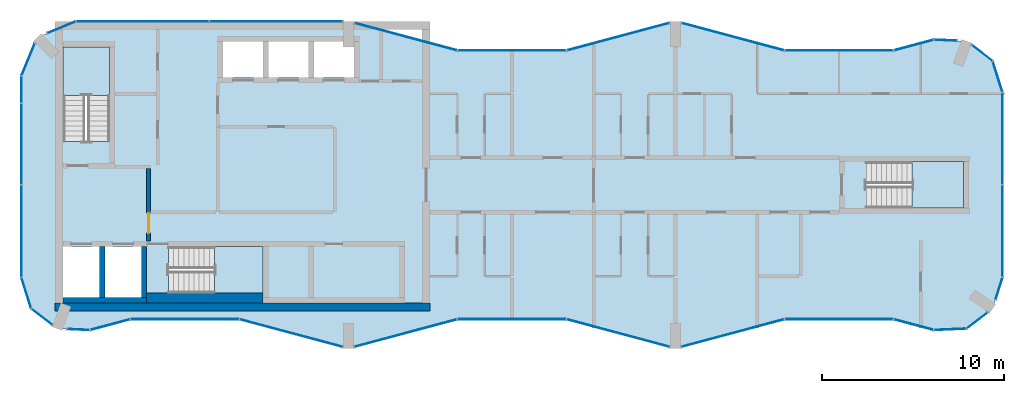
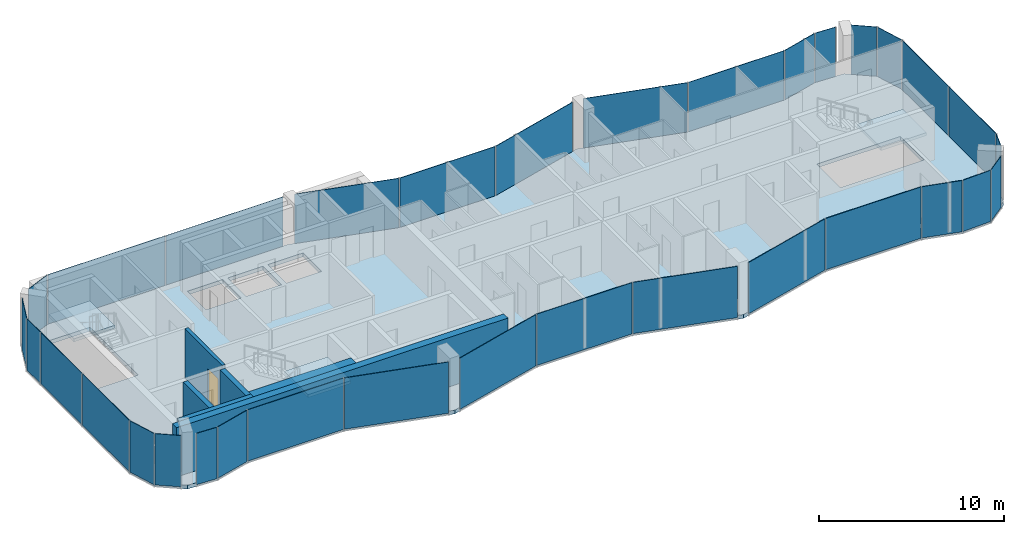
# One storey, part 6 of 10: 33 plates, 6 walls, 4 slabs, 1 door, 1 opening, 32 elements without a shape of their own.
"""IFC4 building model written with IfcOpenShell, lengths in metres."""

from ifc_helpers import new_model, si_unit, direction, frame, frame_2d, origin, origin_2d, place, context, subcontext, project, spatial, polyline, rectangle, outline, extrude, material, layer, layer_set, type_object, element, fill, aggregate, save


model = new_model("IFC4")

# Units and contexts
model_context = context("Model", 3, precision=1e-05, world=origin(), true_north=direction((0.0, 1.0)))
body_context = subcontext(model_context, "Body", "Model", "MODEL_VIEW")
ifc_project = project(units=[si_unit("LENGTHUNIT", "METRE"), si_unit("AREAUNIT", "SQUARE_METRE"), si_unit("VOLUMEUNIT", "CUBIC_METRE"), si_unit("PLANEANGLEUNIT", "RADIAN"), si_unit("MASSUNIT", "GRAM", prefix="KILO")], contexts=[model_context])

# Site, building, storey
site_placement = place(None, origin())
site = spatial("IfcSite", under=ifc_project, at=site_placement, CompositionType="ELEMENT")
building_placement = place(site_placement, origin())
building = spatial("IfcBuilding", under=site, at=building_placement, Name="Plateau Cross Towers", CompositionType="ELEMENT")
storey_placement = place(building_placement, frame((0.0, 0.0, 256.39990234375)))
storey = spatial("IfcBuildingStorey", under=building, at=storey_placement, Name="L67", CompositionType="ELEMENT", Elevation=256.39990234375)

# Curtain wall, plate
ifc_material_1 = material(Name="Dark low-iron glass", Category="glass")
ifc_layer_1 = layer(ifc_material_1, 0.239990234375)
ifc_layer_set_1 = layer_set([ifc_layer_1], Name="Dark low-iron glass")
curtain_wall_type_1 = type_object("IfcCurtainWallType", Name="Curtain wall flush unitised CW-B", PredefinedType="NOTDEFINED", material=ifc_layer_set_1)
curtain_wall_1_placement = place(storey_placement, origin())
curtain_wall_1 = element("IfcCurtainWall", 1, at=curtain_wall_1_placement, inside=storey, type_object=curtain_wall_type_1, Name="ENV/A/L67/A502_10", PredefinedType="NOTDEFINED")
ifc_layer_2 = layer(ifc_material_1, 0.031982421875)
ifc_layer_set_2 = layer_set([ifc_layer_2], Name="Dark low-iron glass")
plate_type_1 = type_object("IfcPlateType", Name="Glass panel 32 flush unitised", PredefinedType="CURTAIN_PANEL", material=ifc_layer_set_2)
plate_1_placement = place(storey_placement, frame((51.125, 1.05078125, -0.1298828125), z_axis=(0.0, 0.0, 1.0), x_axis=(0.999043701491, 0.043722791671, 0.0)))
plate_1 = element("IfcPlate", 2, at=plate_1_placement, type_object=plate_type_1, Name="CW-B panel 1", PredefinedType="CURTAIN_PANEL", context=body_context, shape_type="SweptSolid", body=[
    extrude(rectangle(XDim=1.744140625, YDim=0.031982421875, at=origin_2d()), origin(), (0.0, 0.0, 1.0), 3.3798828125),
])
aggregate(curtain_wall_1, [plate_1])

curtain_wall_2_placement = place(storey_placement, origin())
curtain_wall_2 = element("IfcCurtainWall", 3, at=curtain_wall_2_placement, inside=storey, type_object=curtain_wall_type_1, Name="ENV/A/L67/A520_11", PredefinedType="NOTDEFINED")
plate_2_placement = place(storey_placement, frame((52.60986328125, 1.5380859375, -0.1298828125), z_axis=(0.0, 0.0, 1.0), x_axis=(0.793315514529, 0.608810721331, 0.0)))
plate_2 = element("IfcPlate", 4, at=plate_2_placement, type_object=plate_type_1, Name="CW-B panel 1", PredefinedType="CURTAIN_PANEL", context=body_context, shape_type="SweptSolid", body=[
    extrude(rectangle(XDim=1.41162109375, YDim=0.031982421875, at=origin_2d()), origin(), (0.0, 0.0, 1.0), 3.3798828125),
])
aggregate(curtain_wall_2, [plate_2])

curtain_wall_3_placement = place(storey_placement, origin())
curtain_wall_3 = element("IfcCurtainWall", 5, at=curtain_wall_3_placement, inside=storey, type_object=curtain_wall_type_1, Name="ENV/A/L67/A536_27", PredefinedType="NOTDEFINED")
plate_3_placement = place(storey_placement, frame((53.805419921875, 3.292236328125, -0.1298828125), z_axis=(0.0, 0.0, 1.0), x_axis=(0.300686174994, 0.95372313811, 0.0)))
plate_3 = element("IfcPlate", 6, at=plate_3_placement, type_object=plate_type_1, Name="CW-B panel 1", PredefinedType="CURTAIN_PANEL", context=body_context, shape_type="SweptSolid", body=[
    extrude(rectangle(XDim=1.233642578125, YDim=0.031982421875, at=origin_2d()), origin(), (0.0, 0.0, 1.0), 3.3798828125),
])
aggregate(curtain_wall_3, [plate_3])

# Curtain wall, plates
curtain_wall_4_placement = place(storey_placement, origin())
curtain_wall_4 = element("IfcCurtainWall", 7, at=curtain_wall_4_placement, inside=storey, type_object=curtain_wall_type_1, Name="ENV/A/L67/A540_39", PredefinedType="NOTDEFINED")
plate_4_placement = place(storey_placement, frame((54.0, 6.45458984375, -0.1298828125), z_axis=(0.0, 0.0, 1.0), x_axis=(0.0, 1.0, 0.0)))
plate_4 = element("IfcPlate", 8, at=plate_4_placement, type_object=plate_type_1, Name="CW-B panel 1", PredefinedType="CURTAIN_PANEL", context=body_context, shape_type="SweptSolid", body=[
    extrude(rectangle(XDim=5.03076171875, YDim=0.031982421875, at=origin_2d()), origin(), (0.0, 0.0, 1.0), 3.3798828125),
])
plate_5_placement = place(storey_placement, frame((54.0, 11.54541015625, -0.1298828125), z_axis=(0.0, 0.0, 1.0), x_axis=(0.0, 1.0, 0.0)))
plate_5 = element("IfcPlate", 9, at=plate_5_placement, type_object=plate_type_1, Name="CW-B panel 2", PredefinedType="CURTAIN_PANEL", context=body_context, shape_type="SweptSolid", body=[
    extrude(rectangle(XDim=5.03076171875, YDim=0.031982421875, at=origin_2d()), origin(), (0.0, 0.0, 1.0), 3.3798828125),
])
aggregate(curtain_wall_4, [plate_4, plate_5])

# Curtain wall, plate
curtain_wall_5_placement = place(storey_placement, origin())
curtain_wall_5 = element("IfcCurtainWall", 10, at=curtain_wall_5_placement, inside=storey, type_object=curtain_wall_type_1, Name="ENV/A/L67/A540_141", PredefinedType="NOTDEFINED")
plate_6_placement = place(storey_placement, frame((53.728759765625, 14.951171875, -0.1298828125), z_axis=(0.0, 0.0, 1.0), x_axis=(-0.300686174994, 0.95372313811, 0.0)))
plate_6 = element("IfcPlate", 11, at=plate_6_placement, type_object=plate_type_1, Name="CW-B panel 1", PredefinedType="CURTAIN_PANEL", context=body_context, shape_type="SweptSolid", body=[
    extrude(rectangle(XDim=1.744140625, YDim=0.031982421875, at=origin_2d()), origin(), (0.0, 0.0, 1.0), 3.3798828125),
])
aggregate(curtain_wall_5, [plate_6])

curtain_wall_6_placement = place(storey_placement, origin())
curtain_wall_6 = element("IfcCurtainWall", 12, at=curtain_wall_6_placement, inside=storey, type_object=curtain_wall_type_1, Name="ENV/A/L67/A535_158", PredefinedType="NOTDEFINED")
plate_7_placement = place(storey_placement, frame((52.873779296875, 16.25927734375, -0.1298828125), z_axis=(0.0, 0.0, 1.0), x_axis=(-0.793315514529, 0.608810721331, 0.0)))
plate_7 = element("IfcPlate", 13, at=plate_7_placement, type_object=plate_type_1, Name="CW-B panel 1", PredefinedType="CURTAIN_PANEL", context=body_context, shape_type="SweptSolid", body=[
    extrude(rectangle(XDim=1.41162109375, YDim=0.031982421875, at=origin_2d()), origin(), (0.0, 0.0, 1.0), 3.3798828125),
])
aggregate(curtain_wall_6, [plate_7])

curtain_wall_7_placement = place(storey_placement, origin())
curtain_wall_7 = element("IfcCurtainWall", 14, at=curtain_wall_7_placement, inside=storey, type_object=curtain_wall_type_1, Name="ENV/A/L67/A515_169", PredefinedType="NOTDEFINED")
plate_8_placement = place(storey_placement, frame((50.8701171875, 16.96044921875, -0.1298828125), z_axis=(0.0, 0.0, 1.0), x_axis=(-0.999043701491, 0.043722791671, 0.0)))
plate_8 = element("IfcPlate", 15, at=plate_8_placement, type_object=plate_type_1, Name="CW-B panel 1", PredefinedType="CURTAIN_PANEL", context=body_context, shape_type="SweptSolid", body=[
    extrude(rectangle(XDim=1.233642578125, YDim=0.031982421875, at=origin_2d()), origin(), (0.0, 0.0, 1.0), 3.3798828125),
])
aggregate(curtain_wall_7, [plate_8])

# Curtain wall, plates
curtain_wall_8_placement = place(storey_placement, origin())
curtain_wall_8 = element("IfcCurtainWall", 16, at=curtain_wall_8_placement, inside=storey, type_object=curtain_wall_type_1, Name="ENV/A/L67/A177_180", PredefinedType="NOTDEFINED")
plate_9_placement = place(storey_placement, frame((14.02490234375, 18.0, -0.1298828125), z_axis=(0.0, 0.0, 1.0), x_axis=(-1.0, 0.0, 0.0)))
plate_9 = element("IfcPlate", 17, at=plate_9_placement, type_object=plate_type_1, Name="CW-B panel 1", PredefinedType="CURTAIN_PANEL", context=body_context, shape_type="SweptSolid", body=[
    extrude(rectangle(XDim=7.2900390625, YDim=0.031982421875, at=origin_2d()), origin(), (0.0, 0.0, 1.0), 3.3798828125),
])
plate_10_placement = place(storey_placement, frame((6.675048828125, 18.0, -0.1298828125), z_axis=(0.0, 0.0, 1.0), x_axis=(-1.0, 0.0, 0.0)))
plate_10 = element("IfcPlate", 18, at=plate_10_placement, type_object=plate_type_1, Name="CW-B panel 2", PredefinedType="CURTAIN_PANEL", context=body_context, shape_type="SweptSolid", body=[
    extrude(rectangle(XDim=7.2900390625, YDim=0.031982421875, at=origin_2d()), origin(), (0.0, 0.0, 1.0), 3.3798828125),
])
aggregate(curtain_wall_8, [plate_9, plate_10])

# Curtain wall, plate
curtain_wall_9_placement = place(storey_placement, origin())
curtain_wall_9 = element("IfcCurtainWall", 19, at=curtain_wall_9_placement, inside=storey, type_object=curtain_wall_type_1, Name="ENV/A/L67/A30_180", PredefinedType="NOTDEFINED")
plate_11_placement = place(storey_placement, frame((2.20166015625, 17.66943359375, -0.1298828125), z_axis=(0.0, 0.0, 1.0), x_axis=(-0.923879457699, -0.382683612978, 0.0)))
plate_11 = element("IfcPlate", 20, at=plate_11_placement, type_object=plate_type_1, Name="CW-B panel 1", PredefinedType="CURTAIN_PANEL", context=body_context, shape_type="SweptSolid", body=[
    extrude(rectangle(XDim=1.668212890625, YDim=0.031982421875, at=origin_2d()), origin(), (0.0, 0.0, 1.0), 3.3798828125),
])
aggregate(curtain_wall_9, [plate_11])

curtain_wall_10_placement = place(storey_placement, origin())
curtain_wall_10 = element("IfcCurtainWall", 21, at=curtain_wall_10_placement, inside=storey, type_object=curtain_wall_type_1, Name="ENV/A/L67/A7_168", PredefinedType="NOTDEFINED")
plate_12_placement = place(storey_placement, frame((0.3740234375, 15.90283203125, -0.1298828125), z_axis=(0.0, 0.0, 1.0), x_axis=(-0.382683612978, -0.923879457699, 0.0)))
plate_12 = element("IfcPlate", 22, at=plate_12_placement, type_object=plate_type_1, Name="CW-B panel 1", PredefinedType="CURTAIN_PANEL", context=body_context, shape_type="SweptSolid", body=[
    extrude(rectangle(XDim=1.894775390625, YDim=0.031982421875, at=origin_2d()), origin(), (0.0, 0.0, 1.0), 3.3798828125),
])
aggregate(curtain_wall_10, [plate_12])

# Curtain wall, plates
curtain_wall_11_placement = place(storey_placement, origin())
curtain_wall_11 = element("IfcCurtainWall", 23, at=curtain_wall_11_placement, inside=storey, type_object=curtain_wall_type_1, Name="ENV/A/L67/A0_150", PredefinedType="NOTDEFINED")
plate_13_placement = place(storey_placement, frame((0.0, 14.25, -0.1298828125), z_axis=(0.0, 0.0, 1.0), x_axis=(0.0, -1.0, 0.0)))
plate_13 = element("IfcPlate", 24, at=plate_13_placement, type_object=plate_type_1, Name="CW-B panel 1", PredefinedType="CURTAIN_PANEL", context=body_context, shape_type="SweptSolid", body=[
    extrude(rectangle(XDim=1.43994140625, YDim=0.031982421875, at=origin_2d()), origin(), (0.0, 0.0, 1.0), 3.3798828125),
])
plate_14_placement = place(storey_placement, frame((0.0, 11.25, -0.1298828125), z_axis=(0.0, 0.0, 1.0), x_axis=(0.0, -1.0, 0.0)))
plate_14 = element("IfcPlate", 25, at=plate_14_placement, type_object=plate_type_1, Name="CW-B panel 2", PredefinedType="CURTAIN_PANEL", context=body_context, shape_type="SweptSolid", body=[
    extrude(rectangle(XDim=4.43994140625, YDim=0.031982421875, at=origin_2d()), origin(), (0.0, 0.0, 1.0), 3.3798828125),
])
plate_15_placement = place(storey_placement, frame((0.0, 6.45458984375, -0.1298828125), z_axis=(0.0, 0.0, 1.0), x_axis=(0.0, -1.0, 0.0)))
plate_15 = element("IfcPlate", 26, at=plate_15_placement, type_object=plate_type_1, Name="CW-B panel 3", PredefinedType="CURTAIN_PANEL", context=body_context, shape_type="SweptSolid", body=[
    extrude(rectangle(XDim=5.03076171875, YDim=0.031982421875, at=origin_2d()), origin(), (0.0, 0.0, 1.0), 3.3798828125),
])
aggregate(curtain_wall_11, [plate_13, plate_14, plate_15])

# Curtain wall, plate
curtain_wall_12_placement = place(storey_placement, origin())
curtain_wall_12 = element("IfcCurtainWall", 27, at=curtain_wall_12_placement, inside=storey, type_object=curtain_wall_type_1, Name="ENV/A/L67/A0_39", PredefinedType="NOTDEFINED")
plate_16_placement = place(storey_placement, frame((0.271240234375, 3.048828125, -0.1298828125), z_axis=(0.0, 0.0, 1.0), x_axis=(0.300686174994, -0.95372313811, 0.0)))
plate_16 = element("IfcPlate", 28, at=plate_16_placement, type_object=plate_type_1, Name="CW-B panel 1", PredefinedType="CURTAIN_PANEL", context=body_context, shape_type="SweptSolid", body=[
    extrude(rectangle(XDim=1.744140625, YDim=0.031982421875, at=origin_2d()), origin(), (0.0, 0.0, 1.0), 3.3798828125),
])
aggregate(curtain_wall_12, [plate_16])

curtain_wall_13_placement = place(storey_placement, origin())
curtain_wall_13 = element("IfcCurtainWall", 29, at=curtain_wall_13_placement, inside=storey, type_object=curtain_wall_type_1, Name="ENV/A/L67/A5_22", PredefinedType="NOTDEFINED")
plate_17_placement = place(storey_placement, frame((1.126220703125, 1.74072265625, -0.1298828125), z_axis=(0.0, 0.0, 1.0), x_axis=(0.793315514529, -0.608810721331, 0.0)))
plate_17 = element("IfcPlate", 30, at=plate_17_placement, type_object=plate_type_1, Name="CW-B panel 1", PredefinedType="CURTAIN_PANEL", context=body_context, shape_type="SweptSolid", body=[
    extrude(rectangle(XDim=1.41162109375, YDim=0.031982421875, at=origin_2d()), origin(), (0.0, 0.0, 1.0), 3.3798828125),
])
aggregate(curtain_wall_13, [plate_17])

curtain_wall_14_placement = place(storey_placement, origin())
curtain_wall_14 = element("IfcCurtainWall", 31, at=curtain_wall_14_placement, inside=storey, type_object=curtain_wall_type_1, Name="ENV/A/L67/A25_11", PredefinedType="NOTDEFINED")
plate_18_placement = place(storey_placement, frame((3.1298828125, 1.03955078125, -0.1298828125), z_axis=(0.0, 0.0, 1.0), x_axis=(0.999043701491, -0.043722791671, 0.0)))
plate_18 = element("IfcPlate", 32, at=plate_18_placement, type_object=plate_type_1, Name="CW-B panel 1", PredefinedType="CURTAIN_PANEL", context=body_context, shape_type="SweptSolid", body=[
    extrude(rectangle(XDim=1.233642578125, YDim=0.031982421875, at=origin_2d()), origin(), (0.0, 0.0, 1.0), 3.3798828125),
])
aggregate(curtain_wall_14, [plate_18])

ifc_layer_3 = layer(ifc_material_1, 0.260009765625)
ifc_layer_set_3 = layer_set([ifc_layer_3], Name="Dark low-iron glass")
curtain_wall_type_2 = type_object("IfcCurtainWallType", Name="Curtain wall fluted unitised CW-A", PredefinedType="NOTDEFINED", material=ifc_layer_set_3)
curtain_wall_15_placement = place(storey_placement, origin())
curtain_wall_15 = element("IfcCurtainWall", 33, at=curtain_wall_15_placement, inside=storey, type_object=curtain_wall_type_2, Name="ENV/A/L67/A38_10", PredefinedType="NOTDEFINED")
ifc_layer_4 = layer(ifc_material_1, 0.035888671875)
ifc_layer_set_4 = layer_set([ifc_layer_4], Name="Dark low-iron glass")
plate_type_2 = type_object("IfcPlateType", Name="Glass panel 36 fluted unitised", PredefinedType="CURTAIN_PANEL", material=ifc_layer_set_4)
plate_19_placement = place(storey_placement, frame((4.887939453125, 1.30908203125, -0.1298828125), z_axis=(0.0, 0.0, 1.0), x_axis=(0.965957962328, 0.258699081978, 0.0)))
plate_19 = element("IfcPlate", 34, at=plate_19_placement, type_object=plate_type_2, Name="CW-A panel 1", PredefinedType="CURTAIN_PANEL", context=body_context, shape_type="SweptSolid", body=[
    extrude(rectangle(XDim=2.2421875, YDim=0.035888671875, at=origin_2d()), origin(), (0.0, 0.0, 1.0), 3.3798828125),
])
aggregate(curtain_wall_15, [plate_19])

curtain_wall_16_placement = place(storey_placement, origin())
curtain_wall_16 = element("IfcCurtainWall", 35, at=curtain_wall_16_placement, inside=storey, type_object=curtain_wall_type_2, Name="ENV/A/L67/A60_16", PredefinedType="NOTDEFINED")
plate_20_placement = place(storey_placement, frame((9.0, 1.60693359375, -0.1298828125), z_axis=(0.0, 0.0, 1.0), x_axis=(1.0, 0.0, 0.0)))
plate_20 = element("IfcPlate", 36, at=plate_20_placement, type_object=plate_type_2, Name="CW-A panel 1", PredefinedType="CURTAIN_PANEL", context=body_context, shape_type="SweptSolid", body=[
    extrude(rectangle(XDim=5.93994140625, YDim=0.035888671875, at=origin_2d()), origin(), (0.0, 0.0, 1.0), 3.3798828125),
])
aggregate(curtain_wall_16, [plate_20])

curtain_wall_17_placement = place(storey_placement, origin())
curtain_wall_17 = element("IfcCurtainWall", 37, at=curtain_wall_17_placement, inside=storey, type_object=curtain_wall_type_2, Name="ENV/A/L67/A120_16", PredefinedType="NOTDEFINED")
plate_21_placement = place(storey_placement, frame((14.841064453125, 0.845947265625, -0.1298828125), z_axis=(0.0, 0.0, 1.0), x_axis=(0.965957983404, -0.258699003279, 0.0)))
plate_21 = element("IfcPlate", 38, at=plate_21_placement, type_object=plate_type_2, Name="CW-A panel 1", PredefinedType="CURTAIN_PANEL", context=body_context, shape_type="SweptSolid", body=[
    extrude(rectangle(XDim=5.822265625, YDim=0.035888671875, at=origin_2d()), origin(), (0.0, 0.0, 1.0), 3.3798828125),
])
aggregate(curtain_wall_17, [plate_21])

curtain_wall_18_placement = place(storey_placement, origin())
curtain_wall_18 = element("IfcCurtainWall", 39, at=curtain_wall_18_placement, inside=storey, type_object=curtain_wall_type_2, Name="ENV/A/L67/A183_1", PredefinedType="NOTDEFINED")
plate_22_placement = place(storey_placement, frame((21.158935546875, 0.845947265625, -0.1298828125), z_axis=(0.0, 0.0, 1.0), x_axis=(0.965957983404, 0.258699003279, 0.0)))
plate_22 = element("IfcPlate", 40, at=plate_22_placement, type_object=plate_type_2, Name="CW-A panel 1", PredefinedType="CURTAIN_PANEL", context=body_context, shape_type="SweptSolid", body=[
    extrude(rectangle(XDim=5.822265625, YDim=0.035888671875, at=origin_2d()), origin(), (0.0, 0.0, 1.0), 3.3798828125),
])
aggregate(curtain_wall_18, [plate_22])

curtain_wall_19_placement = place(storey_placement, origin())
curtain_wall_19 = element("IfcCurtainWall", 41, at=curtain_wall_19_placement, inside=storey, type_object=curtain_wall_type_2, Name="ENV/A/L67/A240_16", PredefinedType="NOTDEFINED")
plate_23_placement = place(storey_placement, frame((27.0, 1.60693359375, -0.1298828125), z_axis=(0.0, 0.0, 1.0), x_axis=(1.0, 0.0, 0.0)))
plate_23 = element("IfcPlate", 42, at=plate_23_placement, type_object=plate_type_2, Name="CW-A panel 1", PredefinedType="CURTAIN_PANEL", context=body_context, shape_type="SweptSolid", body=[
    extrude(rectangle(XDim=5.93994140625, YDim=0.035888671875, at=origin_2d()), origin(), (0.0, 0.0, 1.0), 3.3798828125),
])
aggregate(curtain_wall_19, [plate_23])

curtain_wall_20_placement = place(storey_placement, origin())
curtain_wall_20 = element("IfcCurtainWall", 43, at=curtain_wall_20_placement, inside=storey, type_object=curtain_wall_type_2, Name="ENV/A/L67/A300_16", PredefinedType="NOTDEFINED")
plate_24_placement = place(storey_placement, frame((32.841064453125, 0.845947265625, -0.1298828125), z_axis=(0.0, 0.0, 1.0), x_axis=(0.965957983404, -0.258699003279, 0.0)))
plate_24 = element("IfcPlate", 44, at=plate_24_placement, type_object=plate_type_2, Name="CW-A panel 1", PredefinedType="CURTAIN_PANEL", context=body_context, shape_type="SweptSolid", body=[
    extrude(rectangle(XDim=5.822265625, YDim=0.035888671875, at=origin_2d()), origin(), (0.0, 0.0, 1.0), 3.3798828125),
])
aggregate(curtain_wall_20, [plate_24])

curtain_wall_21_placement = place(storey_placement, origin())
curtain_wall_21 = element("IfcCurtainWall", 45, at=curtain_wall_21_placement, inside=storey, type_object=curtain_wall_type_2, Name="ENV/A/L67/A363_1", PredefinedType="NOTDEFINED")
plate_25_placement = place(storey_placement, frame((39.158935546875, 0.845947265625, -0.1298828125), z_axis=(0.0, 0.0, 1.0), x_axis=(0.965957983404, 0.258699003279, 0.0)))
plate_25 = element("IfcPlate", 46, at=plate_25_placement, type_object=plate_type_2, Name="CW-A panel 1", PredefinedType="CURTAIN_PANEL", context=body_context, shape_type="SweptSolid", body=[
    extrude(rectangle(XDim=5.822265625, YDim=0.035888671875, at=origin_2d()), origin(), (0.0, 0.0, 1.0), 3.3798828125),
])
aggregate(curtain_wall_21, [plate_25])

curtain_wall_22_placement = place(storey_placement, origin())
curtain_wall_22 = element("IfcCurtainWall", 47, at=curtain_wall_22_placement, inside=storey, type_object=curtain_wall_type_2, Name="ENV/A/L67/A420_16", PredefinedType="NOTDEFINED")
plate_26_placement = place(storey_placement, frame((45.0, 1.60693359375, -0.1298828125), z_axis=(0.0, 0.0, 1.0), x_axis=(1.0, 0.0, 0.0)))
plate_26 = element("IfcPlate", 48, at=plate_26_placement, type_object=plate_type_2, Name="CW-A panel 1", PredefinedType="CURTAIN_PANEL", context=body_context, shape_type="SweptSolid", body=[
    extrude(rectangle(XDim=5.93994140625, YDim=0.035888671875, at=origin_2d()), origin(), (0.0, 0.0, 1.0), 3.3798828125),
])
aggregate(curtain_wall_22, [plate_26])

curtain_wall_23_placement = place(storey_placement, origin())
curtain_wall_23 = element("IfcCurtainWall", 49, at=curtain_wall_23_placement, inside=storey, type_object=curtain_wall_type_2, Name="ENV/A/L67/A480_16", PredefinedType="NOTDEFINED")
plate_27_placement = place(storey_placement, frame((49.112060546875, 1.30908203125, -0.1298828125), z_axis=(0.0, 0.0, 1.0), x_axis=(0.965957962328, -0.258699081978, 0.0)))
plate_27 = element("IfcPlate", 50, at=plate_27_placement, type_object=plate_type_2, Name="CW-A panel 1", PredefinedType="CURTAIN_PANEL", context=body_context, shape_type="SweptSolid", body=[
    extrude(rectangle(XDim=2.2421875, YDim=0.035888671875, at=origin_2d()), origin(), (0.0, 0.0, 1.0), 3.3798828125),
])
aggregate(curtain_wall_23, [plate_27])

curtain_wall_24_placement = place(storey_placement, origin())
curtain_wall_24 = element("IfcCurtainWall", 51, at=curtain_wall_24_placement, inside=storey, type_object=curtain_wall_type_2, Name="ENV/A/L67/A502_170", PredefinedType="NOTDEFINED")
plate_28_placement = place(storey_placement, frame((49.112060546875, 16.69091796875, -0.1298828125), z_axis=(0.0, 0.0, 1.0), x_axis=(-0.965957962328, -0.258699081978, 0.0)))
plate_28 = element("IfcPlate", 52, at=plate_28_placement, type_object=plate_type_2, Name="CW-A panel 1", PredefinedType="CURTAIN_PANEL", context=body_context, shape_type="SweptSolid", body=[
    extrude(rectangle(XDim=2.2421875, YDim=0.035888671875, at=origin_2d()), origin(), (0.0, 0.0, 1.0), 3.3798828125),
])
aggregate(curtain_wall_24, [plate_28])

curtain_wall_25_placement = place(storey_placement, origin())
curtain_wall_25 = element("IfcCurtainWall", 53, at=curtain_wall_25_placement, inside=storey, type_object=curtain_wall_type_2, Name="ENV/A/L67/A480_164", PredefinedType="NOTDEFINED")
plate_29_placement = place(storey_placement, frame((45.0, 16.39306640625, -0.1298828125), z_axis=(0.0, 0.0, 1.0), x_axis=(-1.0, 0.0, 0.0)))
plate_29 = element("IfcPlate", 54, at=plate_29_placement, type_object=plate_type_2, Name="CW-A panel 1", PredefinedType="CURTAIN_PANEL", context=body_context, shape_type="SweptSolid", body=[
    extrude(rectangle(XDim=5.93994140625, YDim=0.035888671875, at=origin_2d()), origin(), (0.0, 0.0, 1.0), 3.3798828125),
])
aggregate(curtain_wall_25, [plate_29])

curtain_wall_26_placement = place(storey_placement, origin())
curtain_wall_26 = element("IfcCurtainWall", 55, at=curtain_wall_26_placement, inside=storey, type_object=curtain_wall_type_2, Name="ENV/A/L67/A420_164", PredefinedType="NOTDEFINED")
plate_30_placement = place(storey_placement, frame((39.158935546875, 17.154052734375, -0.1298828125), z_axis=(0.0, 0.0, 1.0), x_axis=(-0.965957983404, 0.258699003279, 0.0)))
plate_30 = element("IfcPlate", 56, at=plate_30_placement, type_object=plate_type_2, Name="CW-A panel 1", PredefinedType="CURTAIN_PANEL", context=body_context, shape_type="SweptSolid", body=[
    extrude(rectangle(XDim=5.822265625, YDim=0.035888671875, at=origin_2d()), origin(), (0.0, 0.0, 1.0), 3.3798828125),
])
aggregate(curtain_wall_26, [plate_30])

curtain_wall_27_placement = place(storey_placement, origin())
curtain_wall_27 = element("IfcCurtainWall", 57, at=curtain_wall_27_placement, inside=storey, type_object=curtain_wall_type_2, Name="ENV/A/L67/A357_179", PredefinedType="NOTDEFINED")
plate_31_placement = place(storey_placement, frame((32.841064453125, 17.154052734375, -0.1298828125), z_axis=(0.0, 0.0, 1.0), x_axis=(-0.965957983404, -0.258699003279, 0.0)))
plate_31 = element("IfcPlate", 58, at=plate_31_placement, type_object=plate_type_2, Name="CW-A panel 1", PredefinedType="CURTAIN_PANEL", context=body_context, shape_type="SweptSolid", body=[
    extrude(rectangle(XDim=5.822265625, YDim=0.035888671875, at=origin_2d()), origin(), (0.0, 0.0, 1.0), 3.3798828125),
])
aggregate(curtain_wall_27, [plate_31])

curtain_wall_28_placement = place(storey_placement, origin())
curtain_wall_28 = element("IfcCurtainWall", 59, at=curtain_wall_28_placement, inside=storey, type_object=curtain_wall_type_2, Name="ENV/A/L67/A300_164", PredefinedType="NOTDEFINED")
plate_32_placement = place(storey_placement, frame((27.0, 16.39306640625, -0.1298828125), z_axis=(0.0, 0.0, 1.0), x_axis=(-1.0, 0.0, 0.0)))
plate_32 = element("IfcPlate", 60, at=plate_32_placement, type_object=plate_type_2, Name="CW-A panel 1", PredefinedType="CURTAIN_PANEL", context=body_context, shape_type="SweptSolid", body=[
    extrude(rectangle(XDim=5.93994140625, YDim=0.035888671875, at=origin_2d()), origin(), (0.0, 0.0, 1.0), 3.3798828125),
])
aggregate(curtain_wall_28, [plate_32])

curtain_wall_29_placement = place(storey_placement, origin())
curtain_wall_29 = element("IfcCurtainWall", 61, at=curtain_wall_29_placement, inside=storey, type_object=curtain_wall_type_2, Name="ENV/A/L67/A240_164", PredefinedType="NOTDEFINED")
plate_33_placement = place(storey_placement, frame((21.158935546875, 17.154052734375, -0.1298828125), z_axis=(0.0, 0.0, 1.0), x_axis=(-0.965957983404, 0.258699003279, 0.0)))
plate_33 = element("IfcPlate", 62, at=plate_33_placement, type_object=plate_type_2, Name="CW-A panel 1", PredefinedType="CURTAIN_PANEL", context=body_context, shape_type="SweptSolid", body=[
    extrude(rectangle(XDim=5.822265625, YDim=0.035888671875, at=origin_2d()), origin(), (0.0, 0.0, 1.0), 3.3798828125),
])
aggregate(curtain_wall_29, [plate_33])

# Slab
ifc_material_2 = material(Name="Concrete C40/50", Category="concrete")
ifc_layer_5 = layer(ifc_material_2, 0.25)
ifc_layer_set_5 = layer_set([ifc_layer_5], Name="Concrete C40/50")
slab_type_1 = type_object("IfcSlabType", Name="Post-tensioned flat plate slab 250", PredefinedType="FLOOR", material=ifc_layer_set_5)
slab_1_placement = place(storey_placement, frame((0.0, 0.0, -0.25)))
element("IfcSlab", 63, at=slab_1_placement, inside=storey, type_object=slab_type_1, Name="SL-A-L67", PredefinedType="FLOOR", context=body_context, shape_type="SweptSolid", body=[
    extrude(outline(polyline([(1.9736328125, 1.090087890625), (0.54248046875, 2.1884765625), (0.0, 3.9091796875), (0.0, 15.0), (0.878662109375, 17.121337890625), (3.0, 18.0), (18.0, 18.0), (24.0, 16.39306640625), (30.0, 16.39306640625), (36.0, 18.0), (42.0, 16.39306640625), (48.0, 16.39306640625), (50.223876953125, 16.98876953125), (52.0263671875, 16.909912109375), (53.45751953125, 15.8115234375), (54.0, 14.0908203125), (54.0, 3.9091796875), (53.45751953125, 2.1884765625), (52.0263671875, 1.090087890625), (50.223876953125, 1.01123046875), (48.0, 1.60693359375), (42.0, 1.60693359375), (36.0, 0.0), (30.0, 1.60693359375), (24.0, 1.60693359375), (18.0, 0.0), (12.0, 1.60693359375), (6.0, 1.60693359375), (3.776123046875, 1.01123046875), (1.9736328125, 1.090087890625)]), holes=[polyline([(4.300048828125, 5.60009765625), (2.300048828125, 5.60009765625), (2.300048828125, 2.800048828125), (4.300048828125, 2.800048828125), (4.300048828125, 5.60009765625)]), polyline([(6.60009765625, 5.60009765625), (4.60009765625, 5.60009765625), (4.60009765625, 2.800048828125), (6.60009765625, 2.800048828125), (6.60009765625, 5.60009765625)]), polyline([(13.300048828125, 5.60009765625), (8.10009765625, 5.60009765625), (8.10009765625, 3.050048828125), (13.300048828125, 3.050048828125), (13.300048828125, 5.60009765625)]), polyline([(51.699951171875, 10.27490234375), (46.5, 10.27490234375), (46.5, 7.72509765625), (51.699951171875, 7.72509765625), (51.699951171875, 10.27490234375)]), polyline([(2.300048828125, 16.60009765625), (2.300048828125, 11.39990234375), (4.85009765625, 11.39990234375), (4.85009765625, 16.60009765625), (2.300048828125, 16.60009765625)]), polyline([(13.300048828125, 16.89990234375), (11.10009765625, 16.89990234375), (11.10009765625, 14.89990234375), (13.300048828125, 14.89990234375), (13.300048828125, 16.89990234375)]), polyline([(15.800048828125, 16.89990234375), (13.60009765625, 16.89990234375), (13.60009765625, 14.89990234375), (15.800048828125, 14.89990234375), (15.800048828125, 16.89990234375)]), polyline([(18.300048828125, 16.89990234375), (16.10009765625, 16.89990234375), (16.10009765625, 14.89990234375), (18.300048828125, 14.89990234375), (18.300048828125, 16.89990234375)])]), origin(), (0.0, 0.0, 1.0), 0.25),
])

# Stair, slab
stair_type = type_object("IfcStairType", Name="ST-TWR", PredefinedType="HALF_TURN_STAIR", material=ifc_material_2)
stair_1_placement = place(storey_placement, origin())
stair_1 = element("IfcStair", 64, at=stair_1_placement, inside=storey, type_object=stair_type, Name="L67 Protected Exit Stair ST-1", PredefinedType="HALF_TURN_STAIR")
ifc_layer_6 = layer(ifc_material_2, 0.199951171875)
ifc_layer_set_6 = layer_set([ifc_layer_6], Name="Concrete C40/50")
slab_type_2 = type_object("IfcSlabType", Name="SL-LANDING", PredefinedType="LANDING", material=ifc_layer_set_6)
slab_2_placement = place(storey_placement, frame((0.0, 0.0, 1.550048828125)))
slab_2 = element("IfcSlab", 65, at=slab_2_placement, type_object=slab_type_2, Name="ST-1 landing 1", PredefinedType="LANDING", context=body_context, shape_type="SweptSolid", body=[
    extrude(outline(polyline([(4.85009765625, 13.919921875), (4.85009765625, 16.60009765625), (2.300048828125, 16.60009765625), (2.300048828125, 13.919921875), (4.85009765625, 13.919921875)])), origin(), (0.0, 0.0, 1.0), 0.199951171875),
])
aggregate(stair_1, [slab_2])

stair_2_placement = place(storey_placement, origin())
stair_2 = element("IfcStair", 66, at=stair_2_placement, inside=storey, type_object=stair_type, Name="L67 Protected Exit Stair ST-2", PredefinedType="HALF_TURN_STAIR")
slab_3_placement = place(storey_placement, frame((0.0, 0.0, 1.550048828125)))
slab_3 = element("IfcSlab", 67, at=slab_3_placement, type_object=slab_type_2, Name="ST-2 landing 1", PredefinedType="LANDING", context=body_context, shape_type="SweptSolid", body=[
    extrude(outline(polyline([(10.6201171875, 3.050048828125), (13.300048828125, 3.050048828125), (13.300048828125, 5.60009765625), (10.6201171875, 5.60009765625), (10.6201171875, 3.050048828125)])), origin(), (0.0, 0.0, 1.0), 0.199951171875),
])
aggregate(stair_2, [slab_3])

stair_3_placement = place(storey_placement, origin())
stair_3 = element("IfcStair", 68, at=stair_3_placement, inside=storey, type_object=stair_type, Name="L67 Protected Exit Stair E", PredefinedType="HALF_TURN_STAIR")
slab_4_placement = place(storey_placement, frame((0.0, 0.0, 1.550048828125)))
slab_4 = element("IfcSlab", 69, at=slab_4_placement, type_object=slab_type_2, Name="ES-E landing 1", PredefinedType="LANDING", context=body_context, shape_type="SweptSolid", body=[
    extrude(outline(polyline([(49.02001953125, 7.72509765625), (51.85009765625, 7.72509765625), (51.85009765625, 10.27490234375), (49.02001953125, 10.27490234375), (49.02001953125, 7.72509765625)])), origin(), (0.0, 0.0, 1.0), 0.199951171875),
])
aggregate(stair_3, [slab_4])

# Wall, opening, door
ifc_material_3 = material(Name="Concrete block, plastered both sides", Category="concrete")
ifc_layer_7 = layer(ifc_material_3, 0.199951171875)
ifc_layer_set_7 = layer_set([ifc_layer_7], Name="Concrete block, plastered both sides")
wall_type_1 = type_object("IfcWallType", Name="Core partition 200", PredefinedType="PARTITIONING", material=ifc_layer_set_7)
wall_1_placement = place(storey_placement, frame((7.0, 5.89990234375, 0.0), z_axis=(0.0, 0.0, 1.0), x_axis=(0.0, 1.0, 0.0)))
wall_1 = element("IfcWall", 70, at=wall_1_placement, inside=storey, type_object=wall_type_1, Name="Core partition", PredefinedType="PARTITIONING", context=body_context, shape_type="SweptSolid", body=[
    extrude(rectangle(XDim=4.0, YDim=0.199951171875, at=frame_2d((2.0, 0.0))), origin(), (0.0, 0.0, 1.0), 3.25),
])
opening_placement = place(wall_1_placement, frame((0.449951171875, 0.0, 0.0)))
opening = element("IfcOpeningElement", 71, at=opening_placement, cuts=wall_1, Name="Opening FFD", PredefinedType="OPENING", context=body_context, shape_type="SweptSolid", body=[
    extrude(rectangle(XDim=1.10009765625, YDim=2.10009765625, at=frame_2d((0.550048828125, 1.050048828125))), frame((0.0, 0.10986328125, 0.0), z_axis=(0.0, -1.0, 0.0), x_axis=(1.0, 0.0, 0.0)), (0.0, 0.0, 1.0), 0.219970703125),
])
ifc_material_4 = material(Name="Steel, fire-resisting leaf", Category="steel")
door_type = type_object("IfcDoorType", Name="Firefighting lobby door 1100", OperationType="NOTDEFINED", PredefinedType="DOOR", material=ifc_material_4)
door_placement = place(opening_placement, origin())
door = element("IfcDoor", 72, at=door_placement, inside=storey, type_object=door_type, Name="Firefighting lobby door FFD", OperationType="SINGLE_SWING_LEFT", OverallHeight=2.10009765625, OverallWidth=1.10009765625, PredefinedType="DOOR", context=body_context, shape_type="SweptSolid", body=[
    extrude(rectangle(XDim=1.10009765625, YDim=2.10009765625, at=frame_2d((0.550048828125, 1.050048828125))), frame((0.0, 0.02490234375, 0.0), z_axis=(0.0, -1.0, 0.0), x_axis=(1.0, 0.0, 0.0)), (0.0, 0.0, 1.0), 0.050048828125),
])
fill(opening, door)

# Walls
ifc_material_5 = material(Name="Concrete C60/75", Category="concrete")
ifc_layer_8 = layer(ifc_material_5, 0.300048828125)
ifc_layer_set_8 = layer_set([ifc_layer_8], Name="Concrete C60/75")
wall_type_2 = type_object("IfcWallType", Name="Core shaft wall 300", PredefinedType="SHEAR", material=ifc_layer_set_8)
wall_2_placement = place(storey_placement, frame((2.300048828125, 2.64990234375, 0.0), z_axis=(0.0, 0.0, 1.0), x_axis=(1.0, 0.0, 0.0)))
element("IfcWall", 73, at=wall_2_placement, inside=storey, type_object=wall_type_2, Name="A-sb-back1@L67", PredefinedType="SHEAR", context=body_context, shape_type="SweptSolid", body=[
    extrude(rectangle(XDim=4.599853515625, YDim=0.300048828125, at=frame_2d((2.2998046875, 0.0))), origin(), (0.0, 0.0, 1.0), 3.25),
])
for number, where, z_axis, x_axis, name in (
    (74, (4.449951171875, 2.800048828125, 0.0), (0.0, 0.0, 1.0), (0.0, 1.0, 0.0), "A-sb-v1@L67"),
    (75, (6.75, 2.800048828125, 0.0), (0.0, 0.0, 1.0), (0.0, 1.0, 0.0), "A-sb-v2@L67"),
):
    element("IfcWall", number, at=place(storey_placement, frame(where, z_axis=z_axis, x_axis=x_axis)), inside=storey, type_object=wall_type_2, Name=name, PredefinedType="SHEAR", context=body_context, shape_type="SweptSolid", body=[
        extrude(rectangle(XDim=2.800048828125, YDim=0.300048828125, at=frame_2d((1.39990234375, 0.0))), origin(), (0.0, 0.0, 1.0), 3.25),
    ])
ifc_layer_9 = layer(ifc_material_5, 0.550048828125)
ifc_layer_set_9 = layer_set([ifc_layer_9], Name="Concrete C60/75")
wall_type_3 = type_object("IfcWallType", Name="Core shaft wall 550", PredefinedType="SHEAR", material=ifc_layer_set_9)
wall_3_placement = place(storey_placement, frame((6.89990234375, 2.77490234375, 0.0), z_axis=(0.0, 0.0, 1.0), x_axis=(1.0, 0.0, 0.0)))
element("IfcWall", 76, at=wall_3_placement, inside=storey, type_object=wall_type_3, Name="A-sb-back2@L67", PredefinedType="SHEAR", context=body_context, shape_type="SweptSolid", body=[
    extrude(rectangle(XDim=6.400146484375, YDim=0.550048828125, at=frame_2d((3.2001953125, 0.0))), origin(), (0.0, 0.0, 1.0), 3.25),
])
ifc_layer_10 = layer(ifc_material_5, 0.449951171875)
ifc_layer_set_10 = layer_set([ifc_layer_10], Name="Concrete C60/75")
wall_type_4 = type_object("IfcWallType", Name="Core shell wall 450", PredefinedType="SHEAR", material=ifc_layer_set_10)
wall_4_placement = place(storey_placement, frame((1.85009765625, 2.27490234375, 0.0), z_axis=(0.0, 0.0, 1.0), x_axis=(1.0, 0.0, 0.0)))
element("IfcWall", 77, at=wall_4_placement, inside=storey, type_object=wall_type_4, Name="A-core-S@L67", PredefinedType="SHEAR", context=body_context, shape_type="SweptSolid", body=[
    extrude(rectangle(XDim=20.64990234375, YDim=0.449951171875, at=frame_2d((10.324951171875, 0.0))), origin(), (0.0, 0.0, 1.0), 3.25),
])

save(model, "model.ifc")
